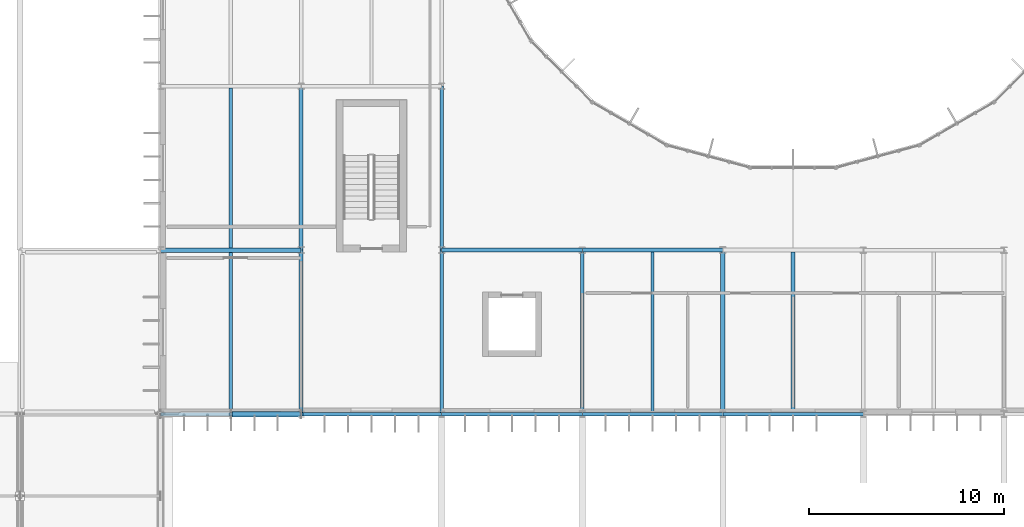
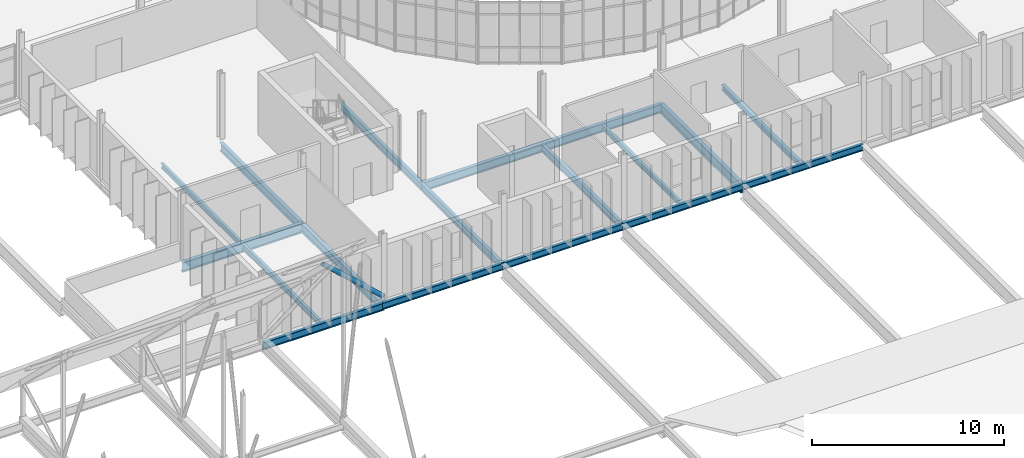
# One storey, part 34 of 99: 18 beams, 1 member.
"""IFC4 building model written with IfcOpenShell, lengths in metres."""

from ifc_helpers import new_model, si_unit, direction, frame, origin, origin_2d, place, context, subcontext, project, spatial, hollow_circle, i_section, extrude, material, material_profile, profile_set, type_object, element, save


model = new_model("IFC4")

# Units and contexts
model_context = context("Model", 3, precision=1e-05, world=origin(), true_north=direction((0.0, 1.0)))
body_context = subcontext(model_context, "Body", "Model", "MODEL_VIEW")
ifc_project = project(units=[si_unit("LENGTHUNIT", "METRE"), si_unit("AREAUNIT", "SQUARE_METRE"), si_unit("VOLUMEUNIT", "CUBIC_METRE"), si_unit("PLANEANGLEUNIT", "RADIAN"), si_unit("MASSUNIT", "GRAM", prefix="KILO")], contexts=[model_context])

# Site, building, storey
site_placement = place(None, origin())
site = spatial("IfcSite", under=ifc_project, at=site_placement, CompositionType="ELEMENT")
building_placement = place(site_placement, origin())
building = spatial("IfcBuilding", under=site, at=building_placement, Name="Qelthora Terrace Specialist Clinic", CompositionType="ELEMENT")
storey_placement = place(building_placement, frame((0.0, 0.0, 9.0)))
storey = spatial("IfcBuildingStorey", under=building, at=storey_placement, Name="L02", CompositionType="ELEMENT", Elevation=9.0)

# Beams
ifc_material = material(Name="Steel S355", Category="steel")
ifc_material_profile_1 = material_profile(ifc_material, i_section(OverallWidth=0.178955078125, OverallDepth=0.409912109375, WebThickness=0.0087890625, FlangeThickness=0.014404296875, FilletRadius=0.011962890625, at=origin_2d()), Name="W410X67")
ifc_profile_set_1 = profile_set([ifc_material_profile_1], Name="Steel S355")
beam_type_1 = type_object("IfcBeamType", Name="BM-W410X67", PredefinedType="BEAM", material=ifc_profile_set_1)
beam_1_placement = place(storey_placement, frame((108.0, 33.60009765625, -0.455078125), z_axis=(1.0, 0.0, 0.0), x_axis=(0.0, 1.0, 0.0)))
element("IfcBeam", 1, at=beam_1_placement, inside=storey, type_object=beam_type_1, Name="Girder BMX-L02-0612", PredefinedType="BEAM", context=body_context, shape_type="SweptSolid", body=[
    extrude(i_section(OverallWidth=0.178955078125, OverallDepth=0.409912109375, WebThickness=0.0087890625, FlangeThickness=0.014404296875, FilletRadius=0.011962890625, at=origin_2d()), origin(), (0.0, 0.0, 1.0), 7.199951171875),
])
beam_2_placement = place(storey_placement, frame((122.39990234375, 33.60009765625, -0.455078125), z_axis=(1.0, 0.0, 0.0), x_axis=(0.0, 1.0, 0.0)))
element("IfcBeam", 2, at=beam_2_placement, inside=storey, type_object=beam_type_1, Name="Girder BMX-L02-0614", PredefinedType="BEAM", context=body_context, shape_type="SweptSolid", body=[
    extrude(i_section(OverallWidth=0.178955078125, OverallDepth=0.409912109375, WebThickness=0.0087890625, FlangeThickness=0.014404296875, FilletRadius=0.011962890625, at=origin_2d()), origin(), (0.0, 0.0, 1.0), 7.2001953125),
])
ifc_material_profile_2 = material_profile(ifc_material, i_section(OverallWidth=0.179931640625, OverallDepth=0.4130859375, WebThickness=0.009765625, FlangeThickness=0.01611328125, FilletRadius=0.011962890625, at=origin_2d()), Name="W410X75")
ifc_profile_set_2 = profile_set([ifc_material_profile_2], Name="Steel S355")
beam_type_2 = type_object("IfcBeamType", Name="BM-W410X75", PredefinedType="BEAM", material=ifc_profile_set_2)
for number, where, z_axis, x_axis, name in (
    (3, (100.800048828125, 33.60009765625, -0.45654296875), (1.0, 0.0, 0.0), (0.0, 1.0, 0.0), "Girder BMX-L02-0611"),
    (4, (115.199951171875, 33.60009765625, -0.45654296875), (1.0, 0.0, 0.0), (0.0, 1.0, 0.0), "Girder BMX-L02-0613"),
):
    element("IfcBeam", number, at=place(storey_placement, frame(where, z_axis=z_axis, x_axis=x_axis)), inside=storey, type_object=beam_type_2, Name=name, PredefinedType="BEAM", context=body_context, shape_type="SweptSolid", body=[
        extrude(i_section(OverallWidth=0.179931640625, OverallDepth=0.4130859375, WebThickness=0.009765625, FlangeThickness=0.01611328125, FilletRadius=0.011962890625, at=origin_2d()), origin(), (0.0, 0.0, 1.0), 7.199951171875),
    ])
ifc_material_profile_3 = material_profile(ifc_material, i_section(OverallWidth=0.19091796875, OverallDepth=0.4599609375, WebThickness=0.010009765625, FlangeThickness=0.01611328125, FilletRadius=0.012939453125, at=origin_2d()), Name="W460X82")
ifc_profile_set_3 = profile_set([ifc_material_profile_3], Name="Steel S355")
beam_type_3 = type_object("IfcBeamType", Name="BM-W460X82", PredefinedType="BEAM", material=ifc_profile_set_3)
beam_3_placement = place(storey_placement, frame((93.60009765625, 33.60009765625, -0.47998046875), z_axis=(1.0, 0.0, 0.0), x_axis=(0.0, 1.0, 0.0)))
element("IfcBeam", 5, at=beam_3_placement, inside=storey, type_object=beam_type_3, Name="Girder BMX-L02-0610", PredefinedType="BEAM", context=body_context, shape_type="SweptSolid", body=[
    extrude(i_section(OverallWidth=0.19091796875, OverallDepth=0.4599609375, WebThickness=0.010009765625, FlangeThickness=0.01611328125, FilletRadius=0.012939453125, at=origin_2d()), origin(), (0.0, 0.0, 1.0), 7.199951171875),
])
for number, where, z_axis, x_axis, name in (
    (6, (108.0, 42.0, -0.47998046875), (0.0, 1.0, 0.0), (-1.0, 0.0, 0.0), "Girder BMY-L02-0858"),
    (7, (115.199951171875, 33.60009765625, -0.47998046875), (0.0, 1.0, 0.0), (-1.0, 0.0, 0.0), "Girder BMY-L02-0868"),
):
    element("IfcBeam", number, at=place(storey_placement, frame(where, z_axis=z_axis, x_axis=x_axis)), inside=storey, type_object=beam_type_3, Name=name, PredefinedType="BEAM", context=body_context, shape_type="SweptSolid", body=[
        extrude(i_section(OverallWidth=0.19091796875, OverallDepth=0.4599609375, WebThickness=0.010009765625, FlangeThickness=0.01611328125, FilletRadius=0.012939453125, at=origin_2d()), origin(), (0.0, 0.0, 1.0), 8.39990234375),
    ])
ifc_material_profile_4 = material_profile(ifc_material, i_section(OverallWidth=0.193115234375, OverallDepth=0.466064453125, WebThickness=0.011474609375, FlangeThickness=0.01904296875, FilletRadius=0.012939453125, at=origin_2d()), Name="W460X97")
ifc_profile_set_4 = profile_set([ifc_material_profile_4], Name="Steel S355")
beam_type_4 = type_object("IfcBeamType", Name="BM-W460X97", PredefinedType="BEAM", material=ifc_profile_set_4)
beam_4_placement = place(storey_placement, frame((108.0, 33.60009765625, -0.48291015625), z_axis=(0.0, 1.0, 0.0), x_axis=(-1.0, 0.0, 0.0)))
element("IfcBeam", 8, at=beam_4_placement, inside=storey, type_object=beam_type_4, Name="Girder BMY-L02-0857", PredefinedType="BEAM", context=body_context, shape_type="SweptSolid", body=[
    extrude(i_section(OverallWidth=0.193115234375, OverallDepth=0.466064453125, WebThickness=0.011474609375, FlangeThickness=0.01904296875, FilletRadius=0.012939453125, at=origin_2d()), origin(), (0.0, 0.0, 1.0), 8.39990234375),
])
ifc_material_profile_5 = material_profile(ifc_material, i_section(OverallWidth=0.2099609375, OverallDepth=0.537109375, WebThickness=0.010986328125, FlangeThickness=0.017333984375, FilletRadius=0.013916015625, at=origin_2d()), Name="W530X101")
ifc_profile_set_5 = profile_set([ifc_material_profile_5], Name="Steel S355")
beam_type_5 = type_object("IfcBeamType", Name="BM-W530X101", PredefinedType="BEAM", material=ifc_profile_set_5)
beam_5_placement = place(storey_placement, frame((115.199951171875, 42.0, -0.5185546875), z_axis=(1.0, 0.0, 0.0), x_axis=(0.0, 1.0, 0.0)))
element("IfcBeam", 9, at=beam_5_placement, inside=storey, type_object=beam_type_5, Name="Girder BMX-L02-0622", PredefinedType="BEAM", context=body_context, shape_type="SweptSolid", body=[
    extrude(i_section(OverallWidth=0.2099609375, OverallDepth=0.537109375, WebThickness=0.010986328125, FlangeThickness=0.017333984375, FilletRadius=0.013916015625, at=origin_2d()), origin(), (0.0, 0.0, 1.0), 7.199951171875),
])
beam_6_placement = place(storey_placement, frame((100.800048828125, 42.0, -0.5185546875), z_axis=(0.0, 1.0, 0.0), x_axis=(-1.0, 0.0, 0.0)))
element("IfcBeam", 10, at=beam_6_placement, inside=storey, type_object=beam_type_5, Name="Girder BMY-L02-0846", PredefinedType="BEAM", context=body_context, shape_type="SweptSolid", body=[
    extrude(i_section(OverallWidth=0.2099609375, OverallDepth=0.537109375, WebThickness=0.010986328125, FlangeThickness=0.017333984375, FilletRadius=0.013916015625, at=origin_2d()), origin(), (0.0, 0.0, 1.0), 8.39990234375),
])
ifc_material_profile_6 = material_profile(ifc_material, i_section(OverallWidth=0.2119140625, OverallDepth=0.5439453125, WebThickness=0.01318359375, FlangeThickness=0.021240234375, FilletRadius=0.013916015625, at=origin_2d()), Name="W530X123")
ifc_profile_set_6 = profile_set([ifc_material_profile_6], Name="Steel S355")
beam_type_6 = type_object("IfcBeamType", Name="BM-W530X123", PredefinedType="BEAM", material=ifc_profile_set_6)
beam_7_placement = place(storey_placement, frame((108.0, 42.0, -0.52197265625), z_axis=(1.0, 0.0, 0.0), x_axis=(0.0, 1.0, 0.0)))
element("IfcBeam", 11, at=beam_7_placement, inside=storey, type_object=beam_type_6, Name="Girder BMX-L02-0621", PredefinedType="BEAM", context=body_context, shape_type="SweptSolid", body=[
    extrude(i_section(OverallWidth=0.2119140625, OverallDepth=0.5439453125, WebThickness=0.01318359375, FlangeThickness=0.021240234375, FilletRadius=0.013916015625, at=origin_2d()), origin(), (0.0, 0.0, 1.0), 7.199951171875),
])
beam_8_placement = place(storey_placement, frame((100.800048828125, 33.60009765625, -0.52197265625), z_axis=(0.0, 1.0, 0.0), x_axis=(-1.0, 0.0, 0.0)))
element("IfcBeam", 12, at=beam_8_placement, inside=storey, type_object=beam_type_6, Name="Girder BMY-L02-0845", PredefinedType="BEAM", context=body_context, shape_type="SweptSolid", body=[
    extrude(i_section(OverallWidth=0.2119140625, OverallDepth=0.5439453125, WebThickness=0.01318359375, FlangeThickness=0.021240234375, FilletRadius=0.013916015625, at=origin_2d()), origin(), (0.0, 0.0, 1.0), 8.39990234375),
])
ifc_material_profile_7 = material_profile(ifc_material, i_section(OverallWidth=0.22900390625, OverallDepth=0.612060546875, WebThickness=0.011962890625, FlangeThickness=0.01953125, FilletRadius=0.01611328125, at=origin_2d()), Name="W610X125")
ifc_profile_set_7 = profile_set([ifc_material_profile_7], Name="Steel S355")
beam_type_7 = type_object("IfcBeamType", Name="BM-W610X125", PredefinedType="BEAM", material=ifc_profile_set_7)
beam_9_placement = place(storey_placement, frame((93.60009765625, 42.0, -0.555908203125), z_axis=(1.0, 0.0, 0.0), x_axis=(0.0, 1.0, 0.0)))
element("IfcBeam", 13, at=beam_9_placement, inside=storey, type_object=beam_type_7, Name="Girder BMX-L02-0620", PredefinedType="BEAM", context=body_context, shape_type="SweptSolid", body=[
    extrude(i_section(OverallWidth=0.22900390625, OverallDepth=0.612060546875, WebThickness=0.011962890625, FlangeThickness=0.01953125, FilletRadius=0.01611328125, at=origin_2d()), origin(), (0.0, 0.0, 1.0), 7.199951171875),
])
ifc_material_profile_8 = material_profile(ifc_material, i_section(OverallWidth=0.22998046875, OverallDepth=0.616943359375, WebThickness=0.01318359375, FlangeThickness=0.022216796875, FilletRadius=0.01611328125, at=origin_2d()), Name="W610X140")
ifc_profile_set_8 = profile_set([ifc_material_profile_8], Name="Steel S355")
beam_type_8 = type_object("IfcBeamType", Name="BM-W610X140", PredefinedType="BEAM", material=ifc_profile_set_8)
beam_10_placement = place(storey_placement, frame((122.39990234375, 33.60009765625, -0.55859375), z_axis=(0.0, 1.0, 0.0), x_axis=(-1.0, 0.0, 0.0)))
element("IfcBeam", 14, at=beam_10_placement, inside=storey, type_object=beam_type_8, Name="Girder BMY-L02-0874", PredefinedType="BEAM", context=body_context, shape_type="SweptSolid", body=[
    extrude(i_section(OverallWidth=0.22998046875, OverallDepth=0.616943359375, WebThickness=0.01318359375, FlangeThickness=0.022216796875, FilletRadius=0.01611328125, at=origin_2d()), origin(), (0.0, 0.0, 1.0), 8.39990234375),
])
ifc_material_profile_9 = material_profile(ifc_material, i_section(OverallWidth=0.1669921875, OverallDepth=0.31689453125, WebThickness=0.007568359375, FlangeThickness=0.01318359375, FilletRadius=0.010009765625, at=origin_2d()), Name="W310X52")
ifc_profile_set_9 = profile_set([ifc_material_profile_9], Name="Steel S355")
beam_type_9 = type_object("IfcBeamType", Name="JST-W310X52", PredefinedType="JOIST", material=ifc_profile_set_9)
beam_11_placement = place(storey_placement, frame((97.199951171875, 42.114501953125, -0.408447265625), z_axis=(0.0, 1.0, 0.0), x_axis=(-1.0, 0.0, 0.0)))
element("IfcBeam", 15, at=beam_11_placement, inside=storey, type_object=beam_type_9, Name="Composite floor joist JST-L02-0183", PredefinedType="JOIST", context=body_context, shape_type="SweptSolid", body=[
    extrude(i_section(OverallWidth=0.1669921875, OverallDepth=0.31689453125, WebThickness=0.007568359375, FlangeThickness=0.01318359375, FilletRadius=0.010009765625, at=origin_2d()), origin(), (0.0, 0.0, 1.0), 8.195556640625),
])
beam_12_placement = place(storey_placement, frame((118.800048828125, 33.68994140625, -0.408447265625), z_axis=(0.0, 1.0, 0.0), x_axis=(-1.0, 0.0, 0.0)))
element("IfcBeam", 16, at=beam_12_placement, inside=storey, type_object=beam_type_9, Name="Composite floor joist JST-L02-0201", PredefinedType="JOIST", context=body_context, shape_type="SweptSolid", body=[
    extrude(i_section(OverallWidth=0.1669921875, OverallDepth=0.31689453125, WebThickness=0.007568359375, FlangeThickness=0.01318359375, FilletRadius=0.010009765625, at=origin_2d()), origin(), (0.0, 0.0, 1.0), 8.205078125),
])
ifc_material_profile_10 = material_profile(ifc_material, i_section(OverallWidth=0.172119140625, OverallDepth=0.35791015625, WebThickness=0.0078125, FlangeThickness=0.01318359375, FilletRadius=0.010986328125, at=origin_2d()), Name="W360X57")
ifc_profile_set_10 = profile_set([ifc_material_profile_10], Name="Steel S355")
beam_type_10 = type_object("IfcBeamType", Name="JST-W360X57", PredefinedType="JOIST", material=ifc_profile_set_10)
beam_13_placement = place(storey_placement, frame((97.199951171875, 33.695556640625, -0.428955078125), z_axis=(0.0, 1.0, 0.0), x_axis=(-1.0, 0.0, 0.0)))
element("IfcBeam", 17, at=beam_13_placement, inside=storey, type_object=beam_type_10, Name="Composite floor joist JST-L02-0182", PredefinedType="JOIST", context=body_context, shape_type="SweptSolid", body=[
    extrude(i_section(OverallWidth=0.172119140625, OverallDepth=0.35791015625, WebThickness=0.0078125, FlangeThickness=0.01318359375, FilletRadius=0.010986328125, at=origin_2d()), origin(), (0.0, 0.0, 1.0), 8.18994140625),
])
ifc_material_profile_11 = material_profile(ifc_material, i_section(OverallWidth=0.202880859375, OverallDepth=0.346923828125, WebThickness=0.0078125, FlangeThickness=0.013427734375, FilletRadius=0.010986328125, at=origin_2d()), Name="W360X64")
ifc_profile_set_11 = profile_set([ifc_material_profile_11], Name="Steel S355")
beam_type_11 = type_object("IfcBeamType", Name="JST-W360X64", PredefinedType="JOIST", material=ifc_profile_set_11)
beam_14_placement = place(storey_placement, frame((126.0, 33.689453125, -0.423583984375), z_axis=(0.0, 1.0, 0.0), x_axis=(-1.0, 0.0, 0.0)))
element("IfcBeam", 18, at=beam_14_placement, inside=storey, type_object=beam_type_11, Name="Composite floor joist JST-L02-0205", PredefinedType="JOIST", context=body_context, shape_type="SweptSolid", body=[
    extrude(i_section(OverallWidth=0.202880859375, OverallDepth=0.346923828125, WebThickness=0.0078125, FlangeThickness=0.013427734375, FilletRadius=0.010986328125, at=origin_2d()), origin(), (0.0, 0.0, 1.0), 8.214111328125),
])

# Member
ifc_material_profile_12 = material_profile(ifc_material, hollow_circle(Radius=0.136474609375, WallThickness=0.011962890625, at=origin_2d()), Name="CHS273X12")
ifc_profile_set_12 = profile_set([ifc_material_profile_12], Name="Steel S355")
member_type = type_object("IfcMemberType", Name="MEM-BRACE-CHS273", PredefinedType="BRACE", material=ifc_profile_set_12)
member_placement = place(storey_placement, frame((100.800048828125, 33.60009765625, 0.179931640625), z_axis=(-0.740226205678, 0.0, 0.672357913933), x_axis=(0.0, -1.0, 0.0)))
element("IfcMember", 19, at=member_placement, inside=storey, type_object=member_type, Name="Concentric seismic chevron brace B8-L02B", PredefinedType="BRACE", context=body_context, shape_type="SweptSolid", body=[
    extrude(hollow_circle(Radius=0.136474609375, WallThickness=0.011962890625, at=origin_2d()), origin(), (0.0, 0.0, 1.0), 4.863525390625),
])

save(model, "model.ifc")
